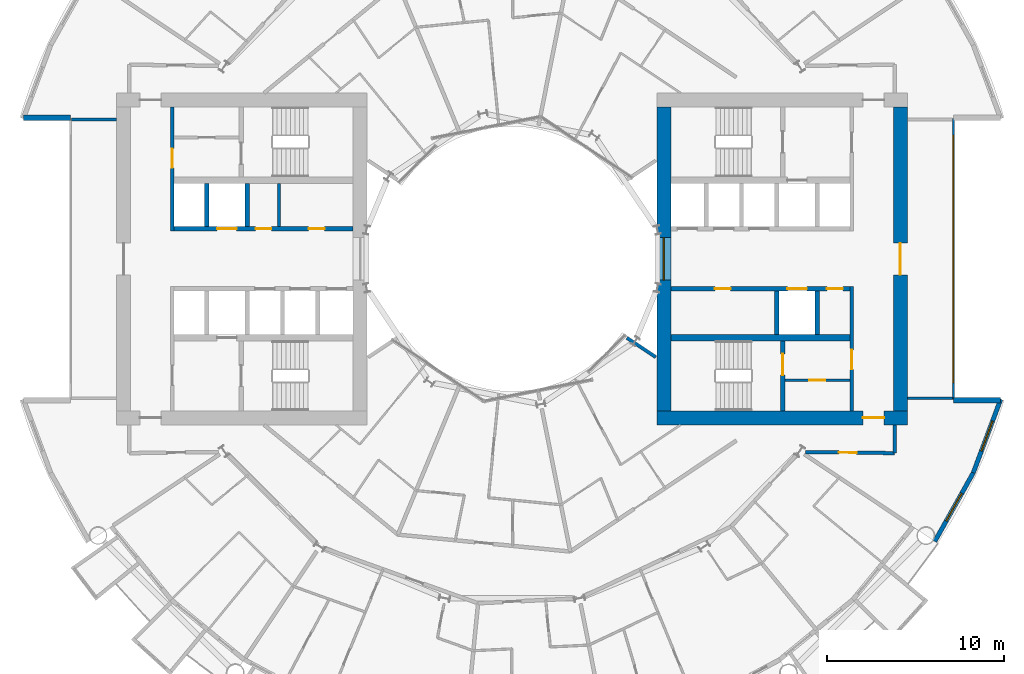
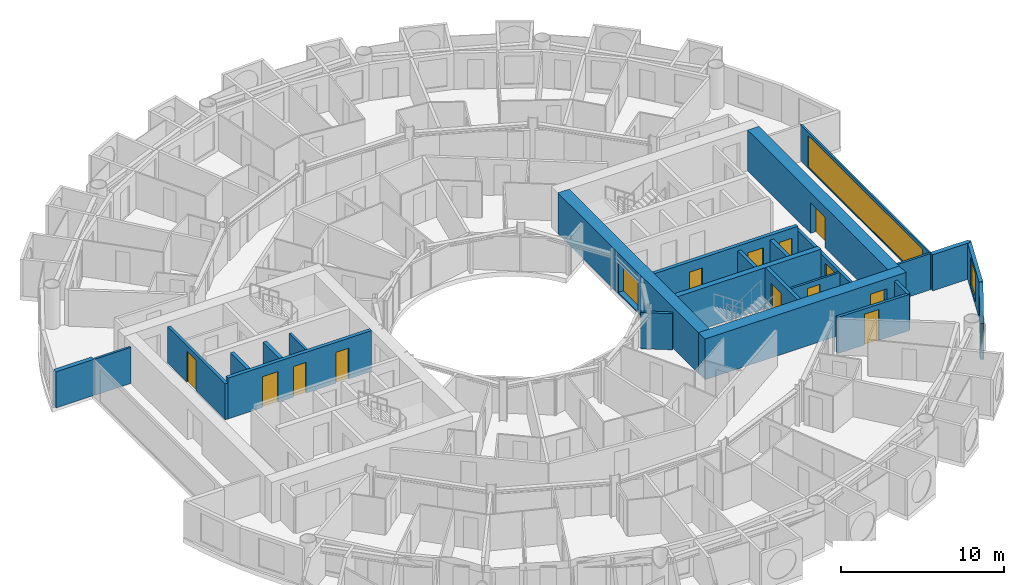
# One storey, part 17 of 26: 25 walls, 13 doors, 4 windows, 17 openings.
"""IFC4 building model written with IfcOpenShell, lengths in metres."""

from ifc_helpers import new_model, si_unit, direction, frame, frame_2d, origin, place, context, subcontext, project, spatial, rectangle, extrude, material, layer, layer_set, type_object, element, fill, save


model = new_model("IFC4")

# Units and contexts
model_context = context("Model", 3, precision=1e-05, world=origin(), true_north=direction((0.0, 1.0)))
body_context = subcontext(model_context, "Body", "Model", "MODEL_VIEW")
ifc_project = project(units=[si_unit("LENGTHUNIT", "METRE"), si_unit("AREAUNIT", "SQUARE_METRE"), si_unit("VOLUMEUNIT", "CUBIC_METRE"), si_unit("PLANEANGLEUNIT", "RADIAN"), si_unit("MASSUNIT", "GRAM", prefix="KILO")], contexts=[model_context])

# Site, building, storey
site_placement = place(None, origin())
site = spatial("IfcSite", under=ifc_project, at=site_placement, CompositionType="ELEMENT")
building_placement = place(site_placement, origin())
building = spatial("IfcBuilding", under=site, at=building_placement, Name="Maasbend Ring Residences", CompositionType="ELEMENT")
storey_placement = place(building_placement, frame((0.0, 0.0, 22.800048828125)))
storey = spatial("IfcBuildingStorey", under=building, at=storey_placement, Name="L05", CompositionType="ELEMENT", Elevation=22.800048828125)

# Wall, openings, doors
ifc_material_1 = material(Name="Concrete C70/85", Category="concrete")
ifc_layer_1 = layer(ifc_material_1, 0.25)
ifc_layer_set_1 = layer_set([ifc_layer_1], Name="Concrete C70/85")
wall_type_1 = type_object("IfcWallType", Name="CORE WALL 250 C70/85", PredefinedType="SHEAR", material=ifc_layer_set_1)
wall_1_placement = place(storey_placement, frame((19.14990234375, -1.699951171875, 0.0), z_axis=(0.0, 0.0, 1.0), x_axis=(-1.0, 0.0, 0.0)))
wall_1 = element("IfcWall", 1, at=wall_1_placement, inside=storey, type_object=wall_type_1, Name="L05 core E wall SPS", PredefinedType="SHEAR", context=body_context, shape_type="SweptSolid", body=[
    extrude(rectangle(XDim=10.14990234375, YDim=0.25, at=frame_2d((5.074951171875, 0.0))), origin(), (0.0, 0.0, 1.0), 3.050048828125),
])
opening_1_placement = place(wall_1_placement, frame((2.449951171875, 0.0, 0.0)))
opening_1 = element("IfcOpeningElement", 2, at=opening_1_placement, cuts=wall_1, Name="Opening LD-E0505", PredefinedType="OPENING", context=body_context, shape_type="SweptSolid", body=[
    extrude(rectangle(XDim=1.10009765625, YDim=2.300048828125, at=frame_2d((0.550048828125, 1.14990234375))), frame((0.0, 0.135009765625, 0.0), z_axis=(0.0, -1.0, 0.0), x_axis=(1.0, 0.0, 0.0)), (0.0, 0.0, 1.0), 0.27001953125),
])
opening_2_placement = place(wall_1_placement, frame((6.762451171875, 0.0, 0.0)))
opening_2 = element("IfcOpeningElement", 3, at=opening_2_placement, cuts=wall_1, Name="Opening D-E0506", PredefinedType="OPENING", context=body_context, shape_type="SweptSolid", body=[
    extrude(rectangle(XDim=0.89990234375, YDim=2.300048828125, at=frame_2d((0.449951171875, 1.14990234375))), frame((0.0, 0.135009765625, 0.0), z_axis=(0.0, -1.0, 0.0), x_axis=(1.0, 0.0, 0.0)), (0.0, 0.0, 1.0), 0.27001953125),
])
opening_3_placement = place(wall_1_placement, frame((0.41259765625, 0.0, 0.0)))
opening_3 = element("IfcOpeningElement", 4, at=opening_3_placement, cuts=wall_1, Name="Opening D-E0507", PredefinedType="OPENING", context=body_context, shape_type="SweptSolid", body=[
    extrude(rectangle(XDim=0.89990234375, YDim=2.300048828125, at=frame_2d((0.449951171875, 1.14990234375))), frame((0.0, 0.135009765625, 0.0), z_axis=(0.0, -1.0, 0.0), x_axis=(1.0, 0.0, 0.0)), (0.0, 0.0, 1.0), 0.27001953125),
])
ifc_material_2 = material(Name="Stainless steel 316", Category="steel")
door_type_1 = type_object("IfcDoorType", Name="LANDING DOOR 1100 X 2300 FD60", OperationType="DOUBLE_DOOR_SLIDING", PredefinedType="DOOR", material=ifc_material_2)
door_1_placement = place(opening_1_placement, origin())
door_1 = element("IfcDoor", 5, at=door_1_placement, inside=storey, type_object=door_type_1, Name="Landing door SV-E L05", OperationType="DOUBLE_DOOR_SLIDING", OverallHeight=2.300048828125, OverallWidth=1.10009765625, PredefinedType="DOOR", context=body_context, shape_type="SweptSolid", body=[
    extrude(rectangle(XDim=1.10009765625, YDim=2.300048828125, at=frame_2d((0.550048828125, 1.14990234375))), frame((0.0, 0.02490234375, 0.0), z_axis=(0.0, -1.0, 0.0), x_axis=(1.0, 0.0, 0.0)), (0.0, 0.0, 1.0), 0.050048828125),
])
fill(opening_1, door_1)
ifc_material_3 = material(Name="Steel, powder coated", Category="steel")
door_type_2 = type_object("IfcDoorType", Name="ROOM DOOR 900 X 2300 FD30S", OperationType="NOTDEFINED", PredefinedType="DOOR", material=ifc_material_3)
door_2_placement = place(opening_2_placement, origin())
door_2 = element("IfcDoor", 6, at=door_2_placement, inside=storey, type_object=door_type_2, Name="Room door L05", OperationType="SINGLE_SWING_LEFT", OverallHeight=2.300048828125, OverallWidth=0.89990234375, PredefinedType="DOOR", context=body_context, shape_type="SweptSolid", body=[
    extrude(rectangle(XDim=0.89990234375, YDim=2.300048828125, at=frame_2d((0.449951171875, 1.14990234375))), frame((0.0, 0.02490234375, 0.0), z_axis=(0.0, -1.0, 0.0), x_axis=(1.0, 0.0, 0.0)), (0.0, 0.0, 1.0), 0.050048828125),
])
fill(opening_2, door_2)
door_3_placement = place(opening_3_placement, origin())
door_3 = element("IfcDoor", 7, at=door_3_placement, inside=storey, type_object=door_type_2, Name="Room door L05", OperationType="SINGLE_SWING_RIGHT", OverallHeight=2.300048828125, OverallWidth=0.89990234375, PredefinedType="DOOR", context=body_context, shape_type="SweptSolid", body=[
    extrude(rectangle(XDim=0.89990234375, YDim=2.300048828125, at=frame_2d((0.449951171875, 1.14990234375))), frame((0.0, 0.02490234375, 0.0), z_axis=(0.0, -1.0, 0.0), x_axis=(1.0, 0.0, 0.0)), (0.0, 0.0, 1.0), 0.050048828125),
])
fill(opening_3, door_3)

# Wall, opening, door
wall_2_placement = place(storey_placement, frame((15.324951171875, -8.60009765625, 0.0), z_axis=(0.0, 0.0, 1.0), x_axis=(0.0, 1.0, 0.0)))
wall_2 = element("IfcWall", 8, at=wall_2_placement, inside=storey, type_object=wall_type_1, Name="L05 core E wall STES", PredefinedType="SHEAR", context=body_context, shape_type="SweptSolid", body=[
    extrude(rectangle(XDim=3.9501953125, YDim=0.25, at=frame_2d((1.97509765625, 0.0))), origin(), (0.0, 0.0, 1.0), 3.050048828125),
])
opening_4_placement = place(wall_2_placement, frame((2.02490234375, 0.0, 0.0)))
opening_4 = element("IfcOpeningElement", 9, at=opening_4_placement, cuts=wall_2, Name="Opening D-E0510", PredefinedType="OPENING", context=body_context, shape_type="SweptSolid", body=[
    extrude(rectangle(XDim=1.199951171875, YDim=2.300048828125, at=frame_2d((0.60009765625, 1.14990234375))), frame((0.0, 0.135009765625, 0.0), z_axis=(0.0, -1.0, 0.0), x_axis=(1.0, 0.0, 0.0)), (0.0, 0.0, 1.0), 0.27001953125),
])
ifc_material_4 = material(Name="Steel, powder coated", Category="steel")
door_type_3 = type_object("IfcDoorType", Name="STAIR DOOR 1200 X 2300 FD60", OperationType="NOTDEFINED", PredefinedType="DOOR", material=ifc_material_4)
door_4_placement = place(opening_4_placement, origin())
door_4 = element("IfcDoor", 10, at=door_4_placement, inside=storey, type_object=door_type_3, Name="Stair door ST-E L05", OperationType="SINGLE_SWING_LEFT", OverallHeight=2.300048828125, OverallWidth=1.199951171875, PredefinedType="DOOR", context=body_context, shape_type="SweptSolid", body=[
    extrude(rectangle(XDim=1.199951171875, YDim=2.300048828125, at=frame_2d((0.60009765625, 1.14990234375))), frame((0.0, 0.02490234375, 0.0), z_axis=(0.0, -1.0, 0.0), x_axis=(1.0, 0.0, 0.0)), (0.0, 0.0, 1.0), 0.050048828125),
])
fill(opening_4, door_4)

# Wall, openings, doors
wall_3_placement = place(storey_placement, frame((-19.14990234375, 1.699951171875, 0.0), z_axis=(0.0, 0.0, 1.0), x_axis=(1.0, 0.0, 0.0)))
wall_3 = element("IfcWall", 11, at=wall_3_placement, inside=storey, type_object=wall_type_1, Name="L05 core W wall SPS", PredefinedType="SHEAR", context=body_context, shape_type="SweptSolid", body=[
    extrude(rectangle(XDim=10.14990234375, YDim=0.25, at=frame_2d((5.074951171875, 0.0))), origin(), (0.0, 0.0, 1.0), 3.050048828125),
])
opening_5_placement = place(wall_3_placement, frame((2.449951171875, 0.0, 0.0)))
opening_5 = element("IfcOpeningElement", 12, at=opening_5_placement, cuts=wall_3, Name="Opening LD-W0505", PredefinedType="OPENING", context=body_context, shape_type="SweptSolid", body=[
    extrude(rectangle(XDim=1.10009765625, YDim=2.300048828125, at=frame_2d((0.550048828125, 1.14990234375))), frame((0.0, 0.135009765625, 0.0), z_axis=(0.0, -1.0, 0.0), x_axis=(1.0, 0.0, 0.0)), (0.0, 0.0, 1.0), 0.27001953125),
])
opening_6_placement = place(wall_3_placement, frame((7.637451171875, 0.0, 0.0)))
opening_6 = element("IfcOpeningElement", 13, at=opening_6_placement, cuts=wall_3, Name="Opening D-W0506", PredefinedType="OPENING", context=body_context, shape_type="SweptSolid", body=[
    extrude(rectangle(XDim=0.89990234375, YDim=2.300048828125, at=frame_2d((0.449951171875, 1.14990234375))), frame((0.0, 0.135009765625, 0.0), z_axis=(0.0, -1.0, 0.0), x_axis=(1.0, 0.0, 0.0)), (0.0, 0.0, 1.0), 0.27001953125),
])
opening_7_placement = place(wall_3_placement, frame((4.625, 0.0, 0.0)))
opening_7 = element("IfcOpeningElement", 14, at=opening_7_placement, cuts=wall_3, Name="Opening D-W0507", PredefinedType="OPENING", context=body_context, shape_type="SweptSolid", body=[
    extrude(rectangle(XDim=0.89990234375, YDim=2.300048828125, at=frame_2d((0.449951171875, 1.14990234375))), frame((0.0, 0.135009765625, 0.0), z_axis=(0.0, -1.0, 0.0), x_axis=(1.0, 0.0, 0.0)), (0.0, 0.0, 1.0), 0.27001953125),
])
door_5_placement = place(opening_5_placement, origin())
door_5 = element("IfcDoor", 15, at=door_5_placement, inside=storey, type_object=door_type_1, Name="Landing door SV-W L05", OperationType="DOUBLE_DOOR_SLIDING", OverallHeight=2.300048828125, OverallWidth=1.10009765625, PredefinedType="DOOR", context=body_context, shape_type="SweptSolid", body=[
    extrude(rectangle(XDim=1.10009765625, YDim=2.300048828125, at=frame_2d((0.550048828125, 1.14990234375))), frame((0.0, 0.02490234375, 0.0), z_axis=(0.0, -1.0, 0.0), x_axis=(1.0, 0.0, 0.0)), (0.0, 0.0, 1.0), 0.050048828125),
])
fill(opening_5, door_5)
door_6_placement = place(opening_6_placement, origin())
door_6 = element("IfcDoor", 16, at=door_6_placement, inside=storey, type_object=door_type_2, Name="Room door L05", OperationType="SINGLE_SWING_LEFT", OverallHeight=2.300048828125, OverallWidth=0.89990234375, PredefinedType="DOOR", context=body_context, shape_type="SweptSolid", body=[
    extrude(rectangle(XDim=0.89990234375, YDim=2.300048828125, at=frame_2d((0.449951171875, 1.14990234375))), frame((0.0, 0.02490234375, 0.0), z_axis=(0.0, -1.0, 0.0), x_axis=(1.0, 0.0, 0.0)), (0.0, 0.0, 1.0), 0.050048828125),
])
fill(opening_6, door_6)
door_7_placement = place(opening_7_placement, origin())
door_7 = element("IfcDoor", 17, at=door_7_placement, inside=storey, type_object=door_type_2, Name="Room door L05", OperationType="SINGLE_SWING_LEFT", OverallHeight=2.300048828125, OverallWidth=0.89990234375, PredefinedType="DOOR", context=body_context, shape_type="SweptSolid", body=[
    extrude(rectangle(XDim=0.89990234375, YDim=2.300048828125, at=frame_2d((0.449951171875, 1.14990234375))), frame((0.0, 0.02490234375, 0.0), z_axis=(0.0, -1.0, 0.0), x_axis=(1.0, 0.0, 0.0)), (0.0, 0.0, 1.0), 0.050048828125),
])
fill(opening_7, door_7)

# Wall
ifc_material_5 = material(Name="Concrete C70/85", Category="concrete")
ifc_layer_2 = layer(ifc_material_5, 0.375)
ifc_layer_set_2 = layer_set([ifc_layer_2], Name="Concrete C70/85")
wall_type_2 = type_object("IfcWallType", Name="CORE WALL 375 C70/85", PredefinedType="SHEAR", material=ifc_layer_set_2)
wall_4_placement = place(storey_placement, frame((9.0, -4.46240234375, 0.0), z_axis=(0.0, 0.0, 1.0), x_axis=(1.0, 0.0, 0.0)))
element("IfcWall", 18, at=wall_4_placement, inside=storey, type_object=wall_type_2, Name="L05 core E wall BS", PredefinedType="SHEAR", context=body_context, shape_type="SweptSolid", body=[
    extrude(rectangle(XDim=10.14990234375, YDim=0.375, at=frame_2d((5.074951171875, 0.0))), origin(), (0.0, 0.0, 1.0), 3.050048828125),
])

# Wall, opening, door
ifc_material_6 = material(Name="Concrete C70/85", Category="concrete")
ifc_layer_3 = layer(ifc_material_6, 0.800048828125)
ifc_layer_set_3 = layer_set([ifc_layer_3], Name="Concrete C70/85")
wall_type_3 = type_object("IfcWallType", Name="CORE WALL 800 C70/85", PredefinedType="SHEAR", material=ifc_layer_set_3)
wall_5_placement = place(storey_placement, frame((8.199951171875, -9.0, 0.0), z_axis=(0.0, 0.0, 1.0), x_axis=(1.0, 0.0, 0.0)))
wall_5 = element("IfcWall", 19, at=wall_5_placement, inside=storey, type_object=wall_type_3, Name="L05 core E wall PS", PredefinedType="SHEAR", context=body_context, shape_type="SweptSolid", body=[
    extrude(rectangle(XDim=14.199951171875, YDim=0.800048828125, at=frame_2d((7.10009765625, 0.0))), origin(), (0.0, 0.0, 1.0), 3.050048828125),
])
opening_8_placement = place(wall_5_placement, frame((11.675048828125, 0.0, 0.0)))
opening_8 = element("IfcOpeningElement", 20, at=opening_8_placement, cuts=wall_5, Name="Opening D-E0514", PredefinedType="OPENING", context=body_context, shape_type="SweptSolid", body=[
    extrude(rectangle(XDim=1.199951171875, YDim=2.300048828125, at=frame_2d((0.60009765625, 1.14990234375))), frame((0.0, 0.41015625, 0.0), z_axis=(0.0, -1.0, 0.0), x_axis=(1.0, 0.0, 0.0)), (0.0, 0.0, 1.0), 0.820068359375),
])
ifc_material_7 = material(Name="Steel, powder coated", Category="steel")
door_type_4 = type_object("IfcDoorType", Name="CORRIDOR DOOR 1200 X 2300 FD30S", OperationType="NOTDEFINED", PredefinedType="DOOR", material=ifc_material_7)
door_8_placement = place(opening_8_placement, origin())
door_8 = element("IfcDoor", 21, at=door_8_placement, inside=storey, type_object=door_type_4, Name="Corridor door L05", OperationType="SINGLE_SWING_LEFT", OverallHeight=2.300048828125, OverallWidth=1.199951171875, PredefinedType="DOOR", context=body_context, shape_type="SweptSolid", body=[
    extrude(rectangle(XDim=1.199951171875, YDim=2.300048828125, at=frame_2d((0.60009765625, 1.14990234375))), frame((0.0, 0.02490234375, 0.0), z_axis=(0.0, -1.0, 0.0), x_axis=(1.0, 0.0, 0.0)), (0.0, 0.0, 1.0), 0.050048828125),
])
fill(opening_8, door_8)

wall_6_placement = place(storey_placement, frame((22.0, 8.60009765625, 0.0), z_axis=(0.0, 0.0, 1.0), x_axis=(0.0, -1.0, 0.0)))
wall_6 = element("IfcWall", 22, at=wall_6_placement, inside=storey, type_object=wall_type_3, Name="L05 core E wall POUT", PredefinedType="SHEAR", context=body_context, shape_type="SweptSolid", body=[
    extrude(rectangle(XDim=17.2001953125, YDim=0.800048828125, at=frame_2d((8.60009765625, 0.0))), origin(), (0.0, 0.0, 1.0), 3.050048828125),
])
opening_9_placement = place(wall_6_placement, frame((7.699951171875, 0.0, 0.0)))
opening_9 = element("IfcOpeningElement", 23, at=opening_9_placement, cuts=wall_6, Name="Opening D-E0515", PredefinedType="OPENING", context=body_context, shape_type="SweptSolid", body=[
    extrude(rectangle(XDim=1.800048828125, YDim=2.300048828125, at=frame_2d((0.89990234375, 1.14990234375))), frame((0.0, 0.41015625, 0.0), z_axis=(0.0, -1.0, 0.0), x_axis=(1.0, 0.0, 0.0)), (0.0, 0.0, 1.0), 0.820068359375),
])
ifc_material_8 = material(Name="Aluminium frame, clear glass", Category="aluminium")
door_type_5 = type_object("IfcDoorType", Name="ENTRANCE DOOR 1800 X 2300 FD60", OperationType="NOTDEFINED", PredefinedType="DOOR", material=ifc_material_8)
door_9_placement = place(opening_9_placement, origin())
door_9 = element("IfcDoor", 24, at=door_9_placement, inside=storey, type_object=door_type_5, Name="Lobby glazed door L05", OperationType="SINGLE_SWING_LEFT", OverallHeight=2.300048828125, OverallWidth=1.800048828125, PredefinedType="DOOR", context=body_context, shape_type="SweptSolid", body=[
    extrude(rectangle(XDim=1.800048828125, YDim=2.300048828125, at=frame_2d((0.89990234375, 1.14990234375))), frame((0.0, 0.02490234375, 0.0), z_axis=(0.0, -1.0, 0.0), x_axis=(1.0, 0.0, 0.0)), (0.0, 0.0, 1.0), 0.050048828125),
])
fill(opening_9, door_9)

# Wall, opening, window
wall_7_placement = place(storey_placement, frame((8.60009765625, -8.60009765625, 0.0), z_axis=(0.0, 0.0, 1.0), x_axis=(0.0, 1.0, 0.0)))
wall_7 = element("IfcWall", 25, at=wall_7_placement, inside=storey, type_object=wall_type_3, Name="L05 core E wall PIN", PredefinedType="SHEAR", context=body_context, shape_type="SweptSolid", body=[
    extrude(rectangle(XDim=17.2001953125, YDim=0.800048828125, at=frame_2d((8.60009765625, 0.0))), origin(), (0.0, 0.0, 1.0), 3.050048828125),
])
opening_10_placement = place(wall_7_placement, frame((7.39990234375, 0.0, 0.10009765625)))
opening_10 = element("IfcOpeningElement", 26, at=opening_10_placement, cuts=wall_7, Name="Opening W-E0501", PredefinedType="OPENING", context=body_context, shape_type="SweptSolid", body=[
    extrude(rectangle(XDim=2.39990234375, YDim=2.199951171875, at=frame_2d((1.199951171875, 1.10009765625))), frame((0.0, 0.41015625, 0.0), z_axis=(0.0, -1.0, 0.0), x_axis=(1.0, 0.0, 0.0)), (0.0, 0.0, 1.0), 0.820068359375),
])
ifc_material_9 = material(Name="Aluminium frame and clear glass", Category="aluminium")
window_type_1 = type_object("IfcWindowType", Name="FIXED WINDOW 2400 X 2200", PartitioningType="SINGLE_PANEL", PredefinedType="WINDOW", material=ifc_material_9)
window_1_placement = place(opening_10_placement, origin())
window_1 = element("IfcWindow", 27, at=window_1_placement, inside=storey, type_object=window_type_1, Name="Lobby window L05", OverallHeight=2.199951171875, OverallWidth=2.39990234375, PartitioningType="SINGLE_PANEL", PredefinedType="WINDOW", context=body_context, shape_type="SweptSolid", body=[
    extrude(rectangle(XDim=2.39990234375, YDim=2.199951171875, at=frame_2d((1.199951171875, 1.10009765625))), frame((0.0, 0.030029296875, 0.0), z_axis=(0.0, -1.0, 0.0), x_axis=(1.0, 0.0, 0.0)), (0.0, 0.0, 1.0), 0.06005859375),
])
fill(opening_10, window_1)

# Wall
ifc_material_10 = material(Name="Concrete C30/37", Category="concrete")
ifc_layer_4 = layer(ifc_material_10, 0.199951171875)
ifc_layer_set_4 = layer_set([ifc_layer_4], Name="Concrete C30/37")
wall_type_4 = type_object("IfcWallType", Name="CORRIDOR WALL 200 CONCRETE", PredefinedType="PARTITIONING", material=ifc_layer_set_4)
wall_8_placement = place(storey_placement, frame((21.675048828125, -11.0, 0.0), z_axis=(0.0, 0.0, 1.0), x_axis=(0.0, 1.0, 0.0)))
element("IfcWall", 28, at=wall_8_placement, inside=storey, type_object=wall_type_4, Name="U-L05-w007", PredefinedType="PARTITIONING", context=body_context, shape_type="SweptSolid", body=[
    extrude(rectangle(XDim=1.60009765625, YDim=0.199951171875, at=frame_2d((0.800048828125, 0.0))), origin(), (0.0, 0.0, 1.0), 2.699951171875),
])

# Wall, opening, door
wall_9_placement = place(storey_placement, frame((16.636962890625, -10.93798828125, 0.0), z_axis=(0.0, 0.0, 1.0), x_axis=(0.99992425795, -0.012307654658, 0.0)))
wall_9 = element("IfcWall", 29, at=wall_9_placement, inside=storey, type_object=wall_type_4, Name="U-L05-w028", PredefinedType="PARTITIONING", context=body_context, shape_type="SweptSolid", body=[
    extrude(rectangle(XDim=5.03857421875, YDim=0.199951171875, at=frame_2d((2.519287109375, 0.0))), origin(), (0.0, 0.0, 1.0), 2.699951171875),
])
opening_11_placement = place(wall_9_placement, frame((1.884033203125, 0.0, 0.0)))
opening_11 = element("IfcOpeningElement", 30, at=opening_11_placement, cuts=wall_9, Name="Opening D-0567", PredefinedType="OPENING", context=body_context, shape_type="SweptSolid", body=[
    extrude(rectangle(XDim=1.0, YDim=2.300048828125, at=frame_2d((0.5, 1.14990234375))), frame((0.0, 0.10986328125, 0.0), z_axis=(0.0, -1.0, 0.0), x_axis=(1.0, 0.0, 0.0)), (0.0, 0.0, 1.0), 0.219970703125),
])
ifc_material_11 = material(Name="Timber, painted", Category="wood")
door_type_6 = type_object("IfcDoorType", Name="ROOM DOOR 1000 X 2300", OperationType="NOTDEFINED", PredefinedType="DOOR", material=ifc_material_11)
door_10_placement = place(opening_11_placement, origin())
door_10 = element("IfcDoor", 31, at=door_10_placement, inside=storey, type_object=door_type_6, Name="D-0567", OperationType="SINGLE_SWING_LEFT", OverallHeight=2.300048828125, OverallWidth=1.0, PredefinedType="DOOR", context=body_context, shape_type="SweptSolid", body=[
    extrude(rectangle(XDim=1.0, YDim=2.300048828125, at=frame_2d((0.5, 1.14990234375))), frame((0.0, 0.02490234375, 0.0), z_axis=(0.0, -1.0, 0.0), x_axis=(1.0, 0.0, 0.0)), (0.0, 0.0, 1.0), 0.050048828125),
])
fill(opening_11, door_10)

# Wall, opening, window
ifc_material_12 = material(Name="Aluminium clad insulated panel", Category="aluminium")
ifc_layer_5 = layer(ifc_material_12, 0.25)
ifc_layer_set_5 = layer_set([ifc_layer_5], Name="EW-HORN")
wall_type_5 = type_object("IfcWallType", Name="EW-HORN", PredefinedType="SOLIDWALL", material=ifc_layer_set_5)
wall_10_placement = place(storey_placement, frame((23.946044921875, -16.0, 0.0), z_axis=(0.0, 0.0, 1.0), x_axis=(0.489696356642, 0.871893042919, 0.0)))
wall_10 = element("IfcWall", 32, at=wall_10_placement, inside=storey, type_object=wall_type_5, Name="Horn wall 2.1", PredefinedType="SOLIDWALL", context=body_context, shape_type="SweptSolid", body=[
    extrude(rectangle(XDim=4.45361328125, YDim=0.25, at=frame_2d((2.226806640625, 0.0))), origin(), (0.0, 0.0, 1.0), 2.699951171875),
])
opening_12_placement = place(wall_10_placement, frame((1.32666015625, 0.0, 0.300048828125)))
opening_12 = element("IfcOpeningElement", 33, at=opening_12_placement, cuts=wall_10, Name="Opening W-BX", PredefinedType="OPENING", context=body_context, shape_type="SweptSolid", body=[
    extrude(rectangle(XDim=1.800048828125, YDim=2.10009765625, at=frame_2d((0.89990234375, 1.050048828125))), frame((0.0, 0.135009765625, 0.0), z_axis=(0.0, -1.0, 0.0), x_axis=(1.0, 0.0, 0.0)), (0.0, 0.0, 1.0), 0.27001953125),
])
ifc_material_13 = material(Name="Aluminium and clear glass", Category="aluminium")
window_type_2 = type_object("IfcWindowType", Name="W-BX", PartitioningType="DOUBLE_PANEL_VERTICAL", PredefinedType="WINDOW", material=ifc_material_13)
window_2_placement = place(opening_12_placement, origin())
window_2 = element("IfcWindow", 34, at=window_2_placement, inside=storey, type_object=window_type_2, Name="Horn window 2.1", OverallHeight=2.10009765625, OverallWidth=1.800048828125, PartitioningType="SINGLE_PANEL", PredefinedType="WINDOW", context=body_context, shape_type="SweptSolid", body=[
    extrude(rectangle(XDim=1.800048828125, YDim=2.10009765625, at=frame_2d((0.89990234375, 1.050048828125))), frame((0.0, 0.030029296875, 0.0), z_axis=(0.0, -1.0, 0.0), x_axis=(1.0, 0.0, 0.0)), (0.0, 0.0, 1.0), 0.06005859375),
])
fill(opening_12, window_2)

wall_11_placement = place(storey_placement, frame((26.126953125, -12.116943359375, 0.0), z_axis=(0.0, 0.0, 1.0), x_axis=(0.349247811493, 0.937030397675, 0.0)))
wall_11 = element("IfcWall", 35, at=wall_11_placement, inside=storey, type_object=wall_type_5, Name="Horn wall 2.2", PredefinedType="SOLIDWALL", context=body_context, shape_type="SweptSolid", body=[
    extrude(rectangle(XDim=4.4521484375, YDim=0.25, at=frame_2d((2.22607421875, 0.0))), origin(), (0.0, 0.0, 1.0), 2.699951171875),
])
opening_13_placement = place(wall_11_placement, frame((1.32666015625, 0.0, 0.300048828125)))
opening_13 = element("IfcOpeningElement", 36, at=opening_13_placement, cuts=wall_11, Name="Opening W-BX", PredefinedType="OPENING", context=body_context, shape_type="SweptSolid", body=[
    extrude(rectangle(XDim=1.800048828125, YDim=2.10009765625, at=frame_2d((0.89990234375, 1.050048828125))), frame((0.0, 0.135009765625, 0.0), z_axis=(0.0, -1.0, 0.0), x_axis=(1.0, 0.0, 0.0)), (0.0, 0.0, 1.0), 0.27001953125),
])
window_3_placement = place(opening_13_placement, origin())
window_3 = element("IfcWindow", 37, at=window_3_placement, inside=storey, type_object=window_type_2, Name="Horn window 2.2", OverallHeight=2.10009765625, OverallWidth=1.800048828125, PartitioningType="SINGLE_PANEL", PredefinedType="WINDOW", context=body_context, shape_type="SweptSolid", body=[
    extrude(rectangle(XDim=1.800048828125, YDim=2.10009765625, at=frame_2d((0.89990234375, 1.050048828125))), frame((0.0, 0.030029296875, 0.0), z_axis=(0.0, -1.0, 0.0), x_axis=(1.0, 0.0, 0.0)), (0.0, 0.0, 1.0), 0.06005859375),
])
fill(opening_13, window_3)

# Walls
ifc_material_14 = material(Name="Aluminium clad insulated panel", Category="aluminium")
ifc_layer_6 = layer(ifc_material_14, 0.300048828125)
ifc_layer_set_6 = layer_set([ifc_layer_6], Name="EW-RET")
wall_type_6 = type_object("IfcWallType", Name="EW-RET", PredefinedType="SOLIDWALL", material=ifc_layer_set_6)
for number, where, z_axis, x_axis, name in (
    (38, (25.0, -8.0, 0.0), (0.0, 0.0, 1.0), (1.0, 0.0, 0.0), "Notch return wall east south"),
    (39, (-25.0, 8.0, 0.0), (0.0, 0.0, 1.0), (-1.0, 0.0, 0.0), "Notch return wall west north"),
):
    element("IfcWall", number, at=place(storey_placement, frame(where, z_axis=z_axis, x_axis=x_axis)), inside=storey, type_object=wall_type_6, Name=name, PredefinedType="SOLIDWALL", context=body_context, shape_type="SweptSolid", body=[
        extrude(rectangle(XDim=2.6669921875, YDim=0.300048828125, at=frame_2d((1.33349609375, 0.0))), origin(), (0.0, 0.0, 1.0), 2.699951171875),
    ])

# Wall, opening, window
ifc_material_15 = material(Name="Aluminium frame and clear glass", Category="aluminium")
ifc_layer_7 = layer(ifc_material_15, 0.1201171875)
ifc_layer_set_7 = layer_set([ifc_layer_7], Name="GLAZED SCREEN WALL 120 EI 60")
wall_type_7 = type_object("IfcWallType", Name="GLAZED SCREEN WALL 120 EI 60", PredefinedType="PARTITIONING", material=ifc_layer_set_7)
wall_12_placement = place(storey_placement, frame((25.0, -7.949951171875, 0.0), z_axis=(0.0, 0.0, 1.0), x_axis=(0.0, 1.0, 0.0)))
wall_12 = element("IfcWall", 40, at=wall_12_placement, inside=storey, type_object=wall_type_7, Name="L05 core E wall FACE", PredefinedType="PARTITIONING", context=body_context, shape_type="SweptSolid", body=[
    extrude(rectangle(XDim=15.89990234375, YDim=0.1201171875, at=frame_2d((7.949951171875, 0.0))), origin(), (0.0, 0.0, 1.0), 2.699951171875),
])
opening_14_placement = place(wall_12_placement, frame((0.949951171875, 0.0, 0.10009765625)))
opening_14 = element("IfcOpeningElement", 41, at=opening_14_placement, cuts=wall_12, Name="Opening W-E0502", PredefinedType="OPENING", context=body_context, shape_type="SweptSolid", body=[
    extrude(rectangle(XDim=14.0, YDim=2.35009765625, at=frame_2d((7.0, 1.175048828125))), frame((0.0, 0.070068359375, 0.0), z_axis=(0.0, -1.0, 0.0), x_axis=(1.0, 0.0, 0.0)), (0.0, 0.0, 1.0), 0.14013671875),
])
ifc_material_16 = material(Name="Aluminium frame and clear glass", Category="aluminium")
window_type_3 = type_object("IfcWindowType", Name="FIXED WINDOW 14000 X 2350", PartitioningType="SINGLE_PANEL", PredefinedType="WINDOW", material=ifc_material_16)
window_4_placement = place(opening_14_placement, origin())
window_4 = element("IfcWindow", 42, at=window_4_placement, inside=storey, type_object=window_type_3, Name="Lobby window L05", OverallHeight=2.35009765625, OverallWidth=14.0, PartitioningType="SINGLE_PANEL", PredefinedType="WINDOW", context=body_context, shape_type="SweptSolid", body=[
    extrude(rectangle(XDim=14.0, YDim=2.35009765625, at=frame_2d((7.0, 1.175048828125))), frame((0.0, 0.030029296875, 0.0), z_axis=(0.0, -1.0, 0.0), x_axis=(1.0, 0.0, 0.0)), (0.0, 0.0, 1.0), 0.06005859375),
])
fill(opening_14, window_4)

# Wall, opening, door
ifc_material_17 = material(Name="Gypsum board on steel studs", Category="steel")
ifc_layer_8 = layer(ifc_material_17, 0.14990234375)
ifc_layer_set_8 = layer_set([ifc_layer_8], Name="PARTITION 150 EI 60")
wall_type_8 = type_object("IfcWallType", Name="PARTITION 150 EI 60", PredefinedType="PARTITIONING", material=ifc_layer_set_8)
wall_13_placement = place(storey_placement, frame((15.449951171875, -6.875, 0.0), z_axis=(0.0, 0.0, 1.0), x_axis=(1.0, 0.0, 0.0)))
wall_13 = element("IfcWall", 43, at=wall_13_placement, inside=storey, type_object=wall_type_8, Name="L05 core E wall RHS", PredefinedType="PARTITIONING", context=body_context, shape_type="SweptSolid", body=[
    extrude(rectangle(XDim=3.699951171875, YDim=0.14990234375, at=frame_2d((1.85009765625, 0.0))), origin(), (0.0, 0.0, 1.0), 2.699951171875),
])
opening_15_placement = place(wall_13_placement, frame((1.39990234375, 0.0, 0.0)))
opening_15 = element("IfcOpeningElement", 44, at=opening_15_placement, cuts=wall_13, Name="Opening D-E0508", PredefinedType="OPENING", context=body_context, shape_type="SweptSolid", body=[
    extrude(rectangle(XDim=0.89990234375, YDim=2.300048828125, at=frame_2d((0.449951171875, 1.14990234375))), frame((0.0, 0.0849609375, 0.0), z_axis=(0.0, -1.0, 0.0), x_axis=(1.0, 0.0, 0.0)), (0.0, 0.0, 1.0), 0.169921875),
])
ifc_material_18 = material(Name="Steel, powder coated", Category="steel")
door_type_7 = type_object("IfcDoorType", Name="RISER DOOR 900 X 2300 FD60", OperationType="NOTDEFINED", PredefinedType="DOOR", material=ifc_material_18)
door_11_placement = place(opening_15_placement, origin())
door_11 = element("IfcDoor", 45, at=door_11_placement, inside=storey, type_object=door_type_7, Name="Riser door L05", OperationType="SINGLE_SWING_LEFT", OverallHeight=2.300048828125, OverallWidth=0.89990234375, PredefinedType="DOOR", context=body_context, shape_type="SweptSolid", body=[
    extrude(rectangle(XDim=0.89990234375, YDim=2.300048828125, at=frame_2d((0.449951171875, 1.14990234375))), frame((0.0, 0.02490234375, 0.0), z_axis=(0.0, -1.0, 0.0), x_axis=(1.0, 0.0, 0.0)), (0.0, 0.0, 1.0), 0.050048828125),
])
fill(opening_15, door_11)

# Walls
wall_14_placement = place(storey_placement, frame((22.39990234375, -7.89990234375, 0.0), z_axis=(0.0, 0.0, 1.0), x_axis=(1.0, 0.0, 0.0)))
element("IfcWall", 46, at=wall_14_placement, inside=storey, type_object=wall_type_8, Name="L05 core E wall CITS", PredefinedType="PARTITIONING", context=body_context, shape_type="SweptSolid", body=[
    extrude(rectangle(XDim=2.5400390625, YDim=0.14990234375, at=frame_2d((1.27001953125, 0.0))), origin(), (0.0, 0.0, 1.0), 2.699951171875),
])
wall_15_placement = place(storey_placement, frame((-13.199951171875, 1.824951171875, 0.0), z_axis=(0.0, 0.0, 1.0), x_axis=(0.0, 1.0, 0.0)))
element("IfcWall", 47, at=wall_15_placement, inside=storey, type_object=wall_type_8, Name="L05 core W wall PRS1320", PredefinedType="PARTITIONING", context=body_context, shape_type="SweptSolid", body=[
    extrude(rectangle(XDim=2.449951171875, YDim=0.14990234375, at=frame_2d((1.22509765625, 0.0))), origin(), (0.0, 0.0, 1.0), 2.699951171875),
])
wall_16_placement = place(storey_placement, frame((-22.39990234375, 7.89990234375, 0.0), z_axis=(0.0, 0.0, 1.0), x_axis=(-1.0, 0.0, 0.0)))
element("IfcWall", 48, at=wall_16_placement, inside=storey, type_object=wall_type_8, Name="L05 core W wall CITS", PredefinedType="PARTITIONING", context=body_context, shape_type="SweptSolid", body=[
    extrude(rectangle(XDim=2.5400390625, YDim=0.14990234375, at=frame_2d((1.27001953125, 0.0))), origin(), (0.0, 0.0, 1.0), 2.699951171875),
])
ifc_material_19 = material(Name="Concrete C30/37", Category="concrete")
ifc_layer_9 = layer(ifc_material_19, 0.199951171875)
ifc_layer_set_9 = layer_set([ifc_layer_9], Name="Concrete C30/37")
wall_type_9 = type_object("IfcWallType", Name="PARTY WALL 200 CONCRETE", PredefinedType="PARTITIONING", material=ifc_layer_set_9)
wall_17_placement = place(storey_placement, frame((6.512939453125, -4.471923828125, 0.0), z_axis=(0.0, 0.0, 1.0), x_axis=(0.831417956244, -0.555647533996, 0.0)))
element("IfcWall", 49, at=wall_17_placement, inside=storey, type_object=wall_type_9, Name="U-L05-w030", PredefinedType="PARTITIONING", context=body_context, shape_type="SweptSolid", body=[
    extrude(rectangle(XDim=1.9619140625, YDim=0.199951171875, at=frame_2d((0.98095703125, 0.0))), origin(), (0.0, 0.0, 1.0), 2.699951171875),
])

# Wall, opening, door
ifc_material_20 = material(Name="Concrete C30/37", Category="concrete")
ifc_layer_10 = layer(ifc_material_20, 0.199951171875)
ifc_layer_set_10 = layer_set([ifc_layer_10], Name="Concrete C30/37")
wall_type_10 = type_object("IfcWallType", Name="SHAFT WALL 200 EI 120", PredefinedType="SOLIDWALL", material=ifc_layer_set_10)
wall_18_placement = place(storey_placement, frame((19.25, -8.60009765625, 0.0), z_axis=(0.0, 0.0, 1.0), x_axis=(0.0, 1.0, 0.0)))
wall_18 = element("IfcWall", 50, at=wall_18_placement, inside=storey, type_object=wall_type_10, Name="L05 core E wall ENDS", PredefinedType="SOLIDWALL", context=body_context, shape_type="SweptSolid", body=[
    extrude(rectangle(XDim=7.025146484375, YDim=0.199951171875, at=frame_2d((3.5126953125, 0.0))), origin(), (0.0, 0.0, 1.0), 2.699951171875),
])
opening_16_placement = place(wall_18_placement, frame((2.35009765625, 0.0, 0.0)))
opening_16 = element("IfcOpeningElement", 51, at=opening_16_placement, cuts=wall_18, Name="Opening D-E0512", PredefinedType="OPENING", context=body_context, shape_type="SweptSolid", body=[
    extrude(rectangle(XDim=1.10009765625, YDim=2.300048828125, at=frame_2d((0.550048828125, 1.14990234375))), frame((0.0, 0.10986328125, 0.0), z_axis=(0.0, -1.0, 0.0), x_axis=(1.0, 0.0, 0.0)), (0.0, 0.0, 1.0), 0.219970703125),
])
ifc_material_21 = material(Name="Steel, powder coated", Category="steel")
door_type_8 = type_object("IfcDoorType", Name="LOBBY DOOR 1100 X 2300 FD60", OperationType="NOTDEFINED", PredefinedType="DOOR", material=ifc_material_21)
door_12_placement = place(opening_16_placement, origin())
door_12 = element("IfcDoor", 52, at=door_12_placement, inside=storey, type_object=door_type_8, Name="Lobby door L05", OperationType="SINGLE_SWING_RIGHT", OverallHeight=2.300048828125, OverallWidth=1.10009765625, PredefinedType="DOOR", context=body_context, shape_type="SweptSolid", body=[
    extrude(rectangle(XDim=1.10009765625, YDim=2.300048828125, at=frame_2d((0.550048828125, 1.14990234375))), frame((0.0, 0.02490234375, 0.0), z_axis=(0.0, -1.0, 0.0), x_axis=(1.0, 0.0, 0.0)), (0.0, 0.0, 1.0), 0.050048828125),
])
fill(opening_16, door_12)

wall_19_placement = place(storey_placement, frame((-19.25, 8.60009765625, 0.0), z_axis=(0.0, 0.0, 1.0), x_axis=(0.0, -1.0, 0.0)))
wall_19 = element("IfcWall", 53, at=wall_19_placement, inside=storey, type_object=wall_type_10, Name="L05 core W wall ENDS", PredefinedType="SOLIDWALL", context=body_context, shape_type="SweptSolid", body=[
    extrude(rectangle(XDim=7.025146484375, YDim=0.199951171875, at=frame_2d((3.5126953125, 0.0))), origin(), (0.0, 0.0, 1.0), 2.699951171875),
])
opening_17_placement = place(wall_19_placement, frame((2.35009765625, 0.0, 0.0)))
opening_17 = element("IfcOpeningElement", 54, at=opening_17_placement, cuts=wall_19, Name="Opening D-W0512", PredefinedType="OPENING", context=body_context, shape_type="SweptSolid", body=[
    extrude(rectangle(XDim=1.10009765625, YDim=2.300048828125, at=frame_2d((0.550048828125, 1.14990234375))), frame((0.0, 0.10986328125, 0.0), z_axis=(0.0, -1.0, 0.0), x_axis=(1.0, 0.0, 0.0)), (0.0, 0.0, 1.0), 0.219970703125),
])
door_13_placement = place(opening_17_placement, origin())
door_13 = element("IfcDoor", 55, at=door_13_placement, inside=storey, type_object=door_type_8, Name="Lobby door L05", OperationType="SINGLE_SWING_RIGHT", OverallHeight=2.300048828125, OverallWidth=1.10009765625, PredefinedType="DOOR", context=body_context, shape_type="SweptSolid", body=[
    extrude(rectangle(XDim=1.10009765625, YDim=2.300048828125, at=frame_2d((0.550048828125, 1.14990234375))), frame((0.0, 0.02490234375, 0.0), z_axis=(0.0, -1.0, 0.0), x_axis=(1.0, 0.0, 0.0)), (0.0, 0.0, 1.0), 0.050048828125),
])
fill(opening_17, door_13)

# Walls
ifc_material_22 = material(Name="Concrete C30/37", Category="concrete")
ifc_layer_11 = layer(ifc_material_22, 0.25)
ifc_layer_set_11 = layer_set([ifc_layer_11], Name="Concrete C30/37")
wall_type_11 = type_object("IfcWallType", Name="SHAFT WALL 250 EI 120", PredefinedType="SOLIDWALL", material=ifc_layer_set_11)
for number, where, z_axis, x_axis, name in (
    (56, (15.0, -1.824951171875, 0.0), (0.0, 0.0, 1.0), (0.0, -1.0, 0.0), "L05 core E wall D150S"),
    (57, (17.300048828125, -1.824951171875, 0.0), (0.0, 0.0, 1.0), (0.0, -1.0, 0.0), "L05 core E wall D173S"),
    (58, (-15.0, 1.824951171875, 0.0), (0.0, 0.0, 1.0), (0.0, 1.0, 0.0), "L05 core W wall D150S"),
    (59, (-17.300048828125, 1.824951171875, 0.0), (0.0, 0.0, 1.0), (0.0, 1.0, 0.0), "L05 core W wall D173S"),
):
    element("IfcWall", number, at=place(storey_placement, frame(where, z_axis=z_axis, x_axis=x_axis)), inside=storey, type_object=wall_type_11, Name=name, PredefinedType="SOLIDWALL", context=body_context, shape_type="SweptSolid", body=[
        extrude(rectangle(XDim=2.449951171875, YDim=0.25, at=frame_2d((1.22509765625, 0.0))), origin(), (0.0, 0.0, 1.0), 2.699951171875),
    ])

save(model, "model.ifc")
